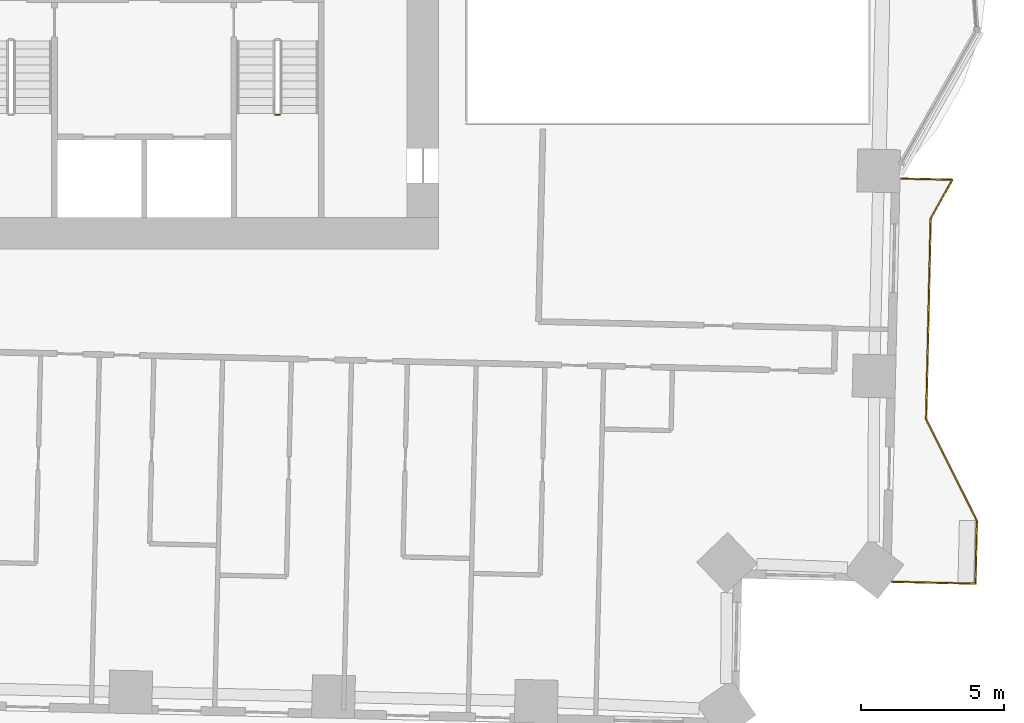
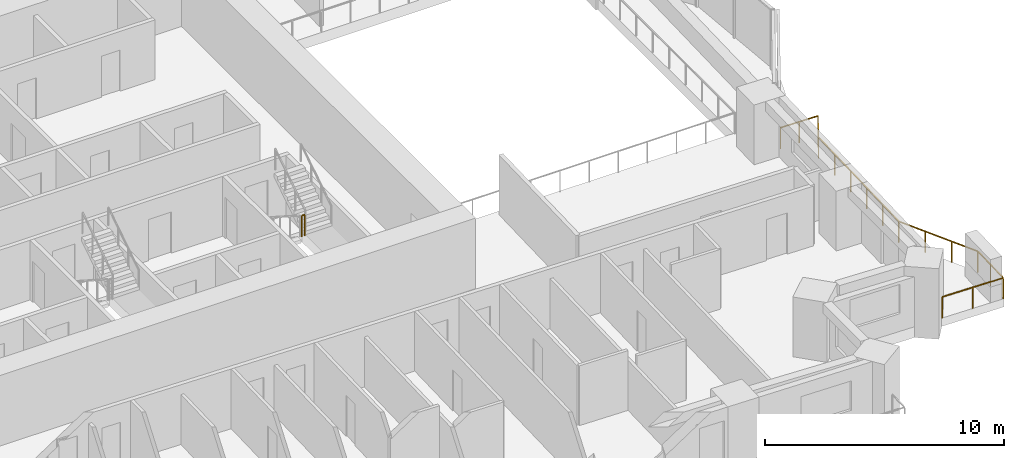
# One storey, part 16 of 18: 2 railings.
"""IFC4 building model written with IfcOpenShell, lengths in metres."""

from ifc_helpers import new_model, si_unit, direction, frame, origin, origin_2d, place, context, subcontext, project, spatial, rectangle, extrude, material, type_object, element, save


model = new_model("IFC4")

# Units and contexts
model_context = context("Model", 3, precision=1e-05, world=origin(), true_north=direction((0.0, 1.0)))
body_context = subcontext(model_context, "Body", "Model", "MODEL_VIEW")
ifc_project = project(units=[si_unit("LENGTHUNIT", "METRE"), si_unit("AREAUNIT", "SQUARE_METRE"), si_unit("VOLUMEUNIT", "CUBIC_METRE"), si_unit("PLANEANGLEUNIT", "RADIAN"), si_unit("MASSUNIT", "GRAM", prefix="KILO")], contexts=[model_context])

# Site, building, storey
site_placement = place(None, origin())
site = spatial("IfcSite", under=ifc_project, at=site_placement, CompositionType="ELEMENT")
building_placement = place(site_placement, origin())
building = spatial("IfcBuilding", under=site, at=building_placement, Name="Mangrove Gate Tower", CompositionType="ELEMENT")
storey_placement = place(building_placement, frame((0.0, 0.0, 56.699951171875)))
storey = spatial("IfcBuildingStorey", under=building, at=storey_placement, Name="L13", CompositionType="ELEMENT", Elevation=56.699951171875)

# Railings
ifc_material_1 = material(Name="Stainless steel grade 316 with laminated glass infill", Category="steel")
railing_type_1 = type_object("IfcRailingType", Name="Balcony guard 1100", PredefinedType="GUARDRAIL", material=ifc_material_1)
railing_1_placement = place(storey_placement, frame((30.718994140625, -23.51611328125, 0.0)))
element("IfcRailing", 1, at=railing_1_placement, inside=storey, type_object=railing_type_1, Name="GUARD L13 E1", PredefinedType="GUARDRAIL", context=body_context, shape_type="SweptSolid", body=[
    extrude(rectangle(XDim=0.048095703125, YDim=0.048095703125, at=origin_2d()), frame((0.0, 0.0, 1.076171875), z_axis=(0.999743521605, -0.022647097142, 0.0), x_axis=(0.022647097142, 0.999743521605, 0.0)), (0.0, 0.0, 1.0), 2.91064453125),
    extrude(rectangle(XDim=0.048095703125, YDim=0.048095703125, at=origin_2d()), frame((2.909912109375, -0.06591796875, 1.076171875), z_axis=(0.022754182687, 0.999741090068, 0.0), x_axis=(-0.999741090068, 0.022754182687, 0.0)), (0.0, 0.0, 1.0), 2.199462890625),
    extrude(rectangle(XDim=0.048095703125, YDim=0.048095703125, at=origin_2d()), frame((2.9599609375, 2.133056640625, 1.076171875), z_axis=(-0.447312255532, 0.894377854182, 0.0), x_axis=(-0.894377854182, -0.447312255532, 0.0)), (0.0, 0.0, 1.0), 3.959228515625),
    extrude(rectangle(XDim=0.048095703125, YDim=0.048095703125, at=origin_2d()), frame((1.18896484375, 5.674072265625, 1.076171875), z_axis=(0.022702393474, 0.999742267452, 0.0), x_axis=(-0.999742267452, 0.022702393474, 0.0)), (0.0, 0.0, 1.0), 7.000732421875),
    extrude(rectangle(XDim=0.048095703125, YDim=0.048095703125, at=origin_2d()), frame((1.347900390625, 12.673095703125, 1.076171875), z_axis=(0.487708700745, 0.873006427936, 0.0), x_axis=(-0.873006427936, 0.487708700745, 0.0)), (0.0, 0.0, 1.0), 1.554443359375),
    extrude(rectangle(XDim=0.048095703125, YDim=0.048095703125, at=origin_2d()), frame((2.10595703125, 14.030029296875, 1.076171875), z_axis=(-0.999736374059, 0.02296045261, 0.0), x_axis=(-0.02296045261, -0.999736374059, 0.0)), (0.0, 0.0, 1.0), 1.786376953125),
    extrude(rectangle(XDim=0.0419921875, YDim=0.0419921875, at=origin_2d()), origin(), (0.0, 0.0, 1.0), 1.052001953125),
    extrude(rectangle(XDim=0.0419921875, YDim=0.0419921875, at=origin_2d()), frame((1.455078125, -0.032958984375, 0.0)), (0.0, 0.0, 1.0), 1.052001953125),
    extrude(rectangle(XDim=0.0419921875, YDim=0.0419921875, at=origin_2d()), frame((2.909912109375, -0.06591796875, 0.0)), (0.0, 0.0, 1.0), 1.052001953125),
    extrude(rectangle(XDim=0.0419921875, YDim=0.0419921875, at=origin_2d()), frame((2.93505859375, 1.03369140625, 0.0)), (0.0, 0.0, 1.0), 1.052001953125),
    extrude(rectangle(XDim=0.0419921875, YDim=0.0419921875, at=origin_2d()), frame((2.9599609375, 2.133056640625, 0.0)), (0.0, 0.0, 1.0), 1.052001953125),
    extrude(rectangle(XDim=0.0419921875, YDim=0.0419921875, at=origin_2d()), frame((2.36962890625, 3.3134765625, 0.0)), (0.0, 0.0, 1.0), 1.052001953125),
    extrude(rectangle(XDim=0.0419921875, YDim=0.0419921875, at=origin_2d()), frame((1.779296875, 4.49365234375, 0.0)), (0.0, 0.0, 1.0), 1.052001953125),
    extrude(rectangle(XDim=0.0419921875, YDim=0.0419921875, at=origin_2d()), frame((1.18896484375, 5.674072265625, 0.0)), (0.0, 0.0, 1.0), 1.052001953125),
    extrude(rectangle(XDim=0.0419921875, YDim=0.0419921875, at=origin_2d()), frame((1.220703125, 7.073974609375, 0.0)), (0.0, 0.0, 1.0), 1.052001953125),
    extrude(rectangle(XDim=0.0419921875, YDim=0.0419921875, at=origin_2d()), frame((1.25244140625, 8.4736328125, 0.0)), (0.0, 0.0, 1.0), 1.052001953125),
    extrude(rectangle(XDim=0.0419921875, YDim=0.0419921875, at=origin_2d()), frame((1.284423828125, 9.87353515625, 0.0)), (0.0, 0.0, 1.0), 1.052001953125),
    extrude(rectangle(XDim=0.0419921875, YDim=0.0419921875, at=origin_2d()), frame((1.316162109375, 11.273193359375, 0.0)), (0.0, 0.0, 1.0), 1.052001953125),
    extrude(rectangle(XDim=0.0419921875, YDim=0.0419921875, at=origin_2d()), frame((1.347900390625, 12.673095703125, 0.0)), (0.0, 0.0, 1.0), 1.052001953125),
    extrude(rectangle(XDim=0.0419921875, YDim=0.0419921875, at=origin_2d()), frame((1.72705078125, 13.3515625, 0.0)), (0.0, 0.0, 1.0), 1.052001953125),
    extrude(rectangle(XDim=0.0419921875, YDim=0.0419921875, at=origin_2d()), frame((2.10595703125, 14.030029296875, 0.0)), (0.0, 0.0, 1.0), 1.052001953125),
    extrude(rectangle(XDim=0.0419921875, YDim=0.0419921875, at=origin_2d()), frame((1.212890625, 14.050537109375, 0.0)), (0.0, 0.0, 1.0), 1.052001953125),
    extrude(rectangle(XDim=0.0419921875, YDim=0.0419921875, at=origin_2d()), frame((0.320068359375, 14.071044921875, 0.0)), (0.0, 0.0, 1.0), 1.052001953125),
])
ifc_material_2 = material(Name="Stainless steel 316", Category="steel")
railing_type_2 = type_object("IfcRailingType", Name="Core stair guard 1100", PredefinedType="GUARDRAIL", material=ifc_material_2)
railing_2_placement = place(storey_placement, frame((9.199951171875, -7.219970703125, 1.800048828125)))
element("IfcRailing", 2, at=railing_2_placement, inside=storey, type_object=railing_type_2, Name="L13 ST3 stair guard 2", PredefinedType="GUARDRAIL", context=body_context, shape_type="SweptSolid", body=[
    extrude(rectangle(XDim=0.048095703125, YDim=0.048095703125, at=origin_2d()), frame((0.0, 0.0, 1.076171875), z_axis=(1.0, 0.0, 0.0), x_axis=(0.0, 1.0, 0.0)), (0.0, 0.0, 1.0), 0.150146484375),
    extrude(rectangle(XDim=0.0419921875, YDim=0.0419921875, at=origin_2d()), origin(), (0.0, 0.0, 1.0), 1.052001953125),
    extrude(rectangle(XDim=0.0419921875, YDim=0.0419921875, at=origin_2d()), frame((0.150146484375, 0.0, 0.0)), (0.0, 0.0, 1.0), 1.052001953125),
])

save(model, "model.ifc")
